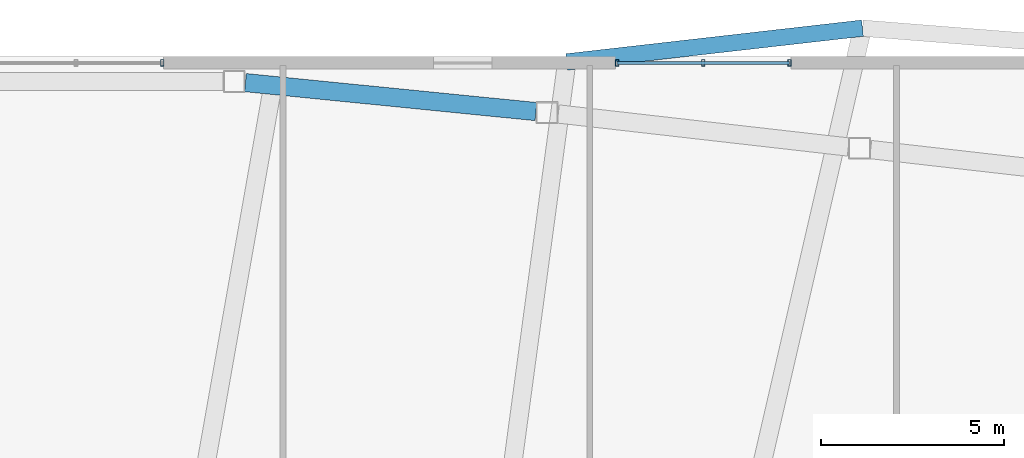
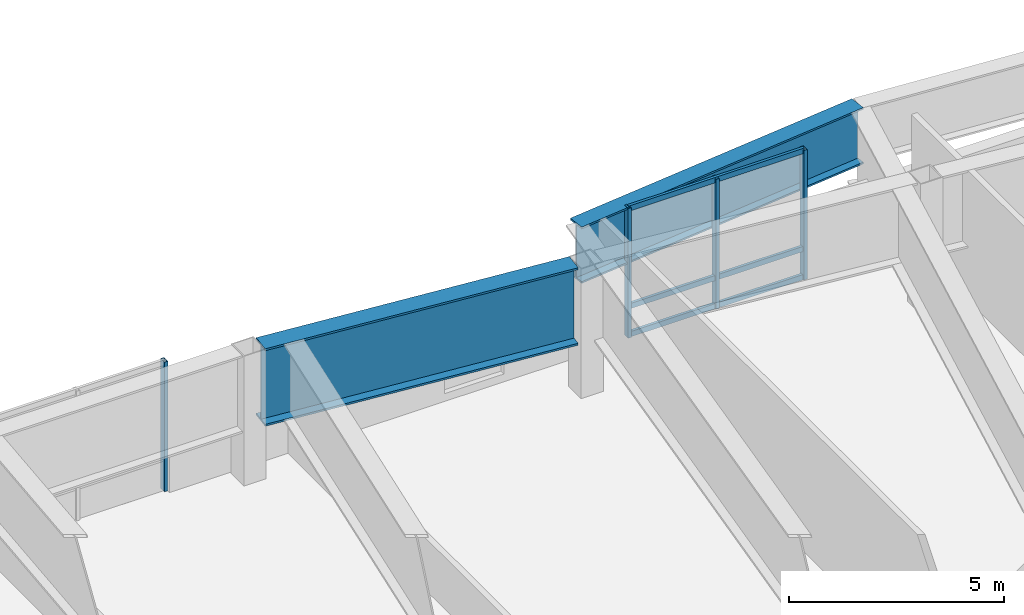
# One storey, part 10 of 19: 7 members, 2 beams, 2 elements without a shape of their own.
"""IFC4 building model written with IfcOpenShell, lengths in metres."""

import ifcopenshell
import ifcopenshell.guid

model = None  # the IFC model being written
_history = None  # IfcOwnerHistory: only IFC2X3 demands one
_inside = {}  # id of a spatial element -> (the spatial element, [elements in it])
_under = {}  # id of a project, library or spatial element -> (it, [spatial elements below it])
_declared = {}  # id of a project -> (the project, [libraries it declares])
_typed = {}  # id of a type object -> (the type object, [elements of that type])
_made_of = {}  # id of a material, layer set ... -> (it, [elements and type objects made of it])


def new_model(schema):
    """Start an empty IFC model of exactly this schema.

    Asked for "IFC4X3", IfcOpenShell would pick the latest addendum, in which some entities
    have other attributes; the version numbers below select the first issue.
    IFC2X3 requires an IfcOwnerHistory on every rooted entity: one is made here for all.
    """
    global model, _history
    if schema == "IFC4X3":
        model = ifcopenshell.file(schema_version=(4, 3, 0, 0))
    else:
        model = ifcopenshell.file(schema=schema)
    _inside.clear()
    _under.clear()
    _declared.clear()
    _typed.clear()
    _made_of.clear()
    _history = None
    if model.schema == "IFC2X3":
        org = make("IfcOrganization", Name="unknown")
        user = make(
            "IfcPersonAndOrganization",
            ThePerson=make("IfcPerson", FamilyName="unknown"),
            TheOrganization=org,
        )
        app = make(
            "IfcApplication",
            ApplicationDeveloper=org,
            Version="unknown",
            ApplicationFullName="unknown",
            ApplicationIdentifier="unknown",
        )
        _history = make(
            "IfcOwnerHistory",
            OwningUser=user,
            OwningApplication=app,
            ChangeAction="ADDED",
            CreationDate=0,
        )
    return model


def make(cls, **values):
    """One entity of the class cls with the attributes given. An attribute that is None is left unset."""
    return model.create_entity(
        cls, **{name: value for name, value in values.items() if value is not None}
    )


def rooted(cls, **values):
    """An entity with a GlobalId (a new one), such as an element, a storey or a relation."""
    return make(cls, GlobalId=ifcopenshell.guid.new(), OwnerHistory=_history, **values)


def si_unit(unit_type, name, prefix=None):
    """IfcSIUnit, for example si_unit("LENGTHUNIT", "METRE", prefix="MILLI")."""
    return make("IfcSIUnit", UnitType=unit_type, Prefix=prefix, Name=name)


def assignment(units):
    """IfcUnitAssignment: the units of a project."""
    return None if units is None else make("IfcUnitAssignment", Units=units)


def point(xyz):
    """IfcCartesianPoint."""
    return None if xyz is None else make("IfcCartesianPoint", Coordinates=xyz)


def direction(xyz):
    """IfcDirection."""
    return None if xyz is None else make("IfcDirection", DirectionRatios=xyz)


def frame(location, z_axis=None, x_axis=None):
    """IfcAxis2Placement3D, a coordinate frame: its origin and axes. An axis left out is left unset."""
    return make(
        "IfcAxis2Placement3D",
        Location=point(location),
        Axis=direction(z_axis),
        RefDirection=direction(x_axis),
    )


def frame_2d(location, x_axis=None):
    """IfcAxis2Placement2D, a coordinate frame in the plane: its origin and x axis."""
    return make(
        "IfcAxis2Placement2D", Location=point(location), RefDirection=direction(x_axis)
    )


def origin():
    """The frame at (0, 0, 0) with its axes left unset."""
    return frame((0.0, 0.0, 0.0))


def origin_2d():
    """The frame at (0, 0) in the plane with its x axis left unset."""
    return frame_2d((0.0, 0.0))


def place(relative_to, where):
    """IfcLocalPlacement: puts the frame where relative to a parent placement (None: the world)."""
    return make(
        "IfcLocalPlacement", PlacementRelTo=relative_to, RelativePlacement=where
    )


def context(
    kind, dimensions, precision=None, world=None, true_north=None, identifier=None
):
    """IfcGeometricRepresentationContext, for example the 3D "Model" context."""
    return make(
        "IfcGeometricRepresentationContext",
        ContextIdentifier=identifier,
        ContextType=kind,
        CoordinateSpaceDimension=dimensions,
        Precision=precision,
        WorldCoordinateSystem=world,
        TrueNorth=true_north,
    )


def subcontext(parent, identifier, kind, view, scale=None):
    """IfcGeometricRepresentationSubContext, for example "Body" below "Model"."""
    return make(
        "IfcGeometricRepresentationSubContext",
        ContextIdentifier=identifier,
        ContextType=kind,
        ParentContext=parent,
        TargetScale=scale,
        TargetView=view,
    )


def project(units=None, contexts=None):
    """IfcProject with its units and contexts."""
    return rooted(
        "IfcProject",
        Name="project",
        RepresentationContexts=contexts,
        UnitsInContext=assignment(units),
    )


def spatial(cls, under=None, at=None, **own):
    """A site, building, storey or space (cls), placed at a placement, below another one or the project."""
    s = rooted(cls, ObjectPlacement=at, **own)
    if under is not None:
        _under.setdefault(under.id(), (under, []))[1].append(s)
    return s


def profile(cls, at=None, kind="AREA", **sizes):
    """A parametric profile (cls). Its sizes go by their IFC names, for example OverallWidth=200.0."""
    return make(cls, ProfileType=kind, Position=at, **sizes)


def hollow_rectangle(**sizes):
    """IfcRectangleHollowProfileDef."""
    return profile("IfcRectangleHollowProfileDef", **sizes)


def i_section(**sizes):
    """IfcIShapeProfileDef."""
    return profile("IfcIShapeProfileDef", **sizes)


def extrude(swept, where, along, depth):
    """IfcExtrudedAreaSolid: the profile swept, set in the frame where, extruded along a direction by depth."""
    return make(
        "IfcExtrudedAreaSolid",
        SweptArea=swept,
        Position=where,
        ExtrudedDirection=direction(along),
        Depth=depth,
    )


def shape(context_of_items, identifier, shape_type, items):
    """IfcShapeRepresentation: the items that make up one representation, for example the "Body"."""
    return make(
        "IfcShapeRepresentation",
        ContextOfItems=context_of_items,
        RepresentationIdentifier=identifier,
        RepresentationType=shape_type,
        Items=items,
    )


def material(Name=None, Category=None):
    """IfcMaterial."""
    return make("IfcMaterial", Name=Name, Category=Category)


def layer(
    of_material, thickness, ventilated=None, Name=None, Category=None, Priority=None
):
    """IfcMaterialLayer: one layer of a wall or slab, of a material (None: an air gap)."""
    return make(
        "IfcMaterialLayer",
        Material=of_material,
        LayerThickness=thickness,
        IsVentilated=ventilated,
        Name=Name,
        Category=Category,
        Priority=Priority,
    )


def layer_set(layers, Name=None):
    """IfcMaterialLayerSet."""
    return make("IfcMaterialLayerSet", MaterialLayers=layers, LayerSetName=Name)


def material_profile(
    of_material, cross_section, Name=None, Category=None, Priority=None
):
    """IfcMaterialProfile: a cross section and its material."""
    return make(
        "IfcMaterialProfile",
        Name=Name,
        Material=of_material,
        Profile=cross_section,
        Priority=Priority,
        Category=Category,
    )


def profile_set(profiles, Name=None, composite=None):
    """IfcMaterialProfileSet."""
    return make(
        "IfcMaterialProfileSet",
        Name=Name,
        MaterialProfiles=profiles,
        CompositeProfile=composite,
    )


def made_of(thing, what):
    """Note that an element or type object is made of a material, layer set ...; save() writes the relation."""
    if what is not None:
        _made_of.setdefault(what.id(), (what, []))[1].append(thing)
    return thing


def type_object(cls, material=None, **own):
    """A type object (cls), such as IfcWallType, which elements share."""
    return made_of(rooted(cls, **own), material)


def element(
    cls,
    number,
    at=None,
    inside=None,
    cuts=None,
    type_object=None,
    material=None,
    context=None,
    identifier="Body",
    shape_type=None,
    held_by="IfcProductDefinitionShape",
    body=None,
    shapes=None,
    **own,
):
    """One element of the class cls, such as IfcWall. Its Tag is "e" and its number.

    at: its placement. inside: the storey or other place that contains it. cuts: it is an
    opening in that element (IfcRelVoidsElement). A single representation is given by context,
    identifier, shape_type and body (its items); several are given by shapes. held_by: the class
    of the entity that holds the representations. save() writes the other relations.
    """
    e = rooted(cls, Tag="e%d" % number, ObjectPlacement=at, **own)
    if body is not None:
        shapes = [shape(context, identifier, shape_type, body)]
    if shapes is not None:
        e.Representation = make(held_by, Representations=shapes)
    if inside is not None:
        _inside.setdefault(inside.id(), (inside, []))[1].append(e)
    if cuts is not None:
        rooted(
            "IfcRelVoidsElement", RelatingBuildingElement=cuts, RelatedOpeningElement=e
        )
    if type_object is not None:
        _typed.setdefault(type_object.id(), (type_object, []))[1].append(e)
    return made_of(e, material)


def aggregate(whole, parts):
    """IfcRelAggregates: a whole, such as a stair, and the parts it consists of."""
    return rooted("IfcRelAggregates", RelatingObject=whole, RelatedObjects=parts)


def save(model, path):
    """Write the relations noted so far, then the file.

    IfcRelAggregates (storeys below a building ...), IfcRelContainedInSpatialStructure (elements
    in a storey), IfcRelDefinesByType, IfcRelAssociatesMaterial and IfcRelDeclares: one each for
    every whole, place, type object, material and project.
    """
    for whole, parts in _under.values():
        aggregate(whole, parts)
    for where, things in _inside.values():
        rooted(
            "IfcRelContainedInSpatialStructure",
            RelatedElements=things,
            RelatingStructure=where,
        )
    for kind, things in _typed.values():
        rooted("IfcRelDefinesByType", RelatedObjects=things, RelatingType=kind)
    for what, things in _made_of.values():
        rooted("IfcRelAssociatesMaterial", RelatedObjects=things, RelatingMaterial=what)
    for by, libraries in _declared.values():
        rooted("IfcRelDeclares", RelatingContext=by, RelatedDefinitions=libraries)
    model.write(path)


model = new_model("IFC4")

# Units and contexts
model_context = context("Model", 3, precision=1e-05, world=origin(), true_north=direction((0.0, 1.0)))
body_context = subcontext(model_context, "Body", "Model", "MODEL_VIEW")
ifc_project = project(units=[si_unit("LENGTHUNIT", "METRE"), si_unit("AREAUNIT", "SQUARE_METRE"), si_unit("VOLUMEUNIT", "CUBIC_METRE"), si_unit("PLANEANGLEUNIT", "RADIAN"), si_unit("MASSUNIT", "GRAM", prefix="KILO")], contexts=[model_context])

# Site, building, storey
site_placement = place(None, origin())
site = spatial("IfcSite", under=ifc_project, at=site_placement, CompositionType="ELEMENT")
building_placement = place(site_placement, origin())
building = spatial("IfcBuilding", under=site, at=building_placement, Name="Tavrogorsk Clinical Tower", CompositionType="ELEMENT")
storey_placement = place(building_placement, frame((0.0, 0.0, 204.199951171875)))
storey = spatial("IfcBuildingStorey", under=building, at=storey_placement, Name="L47", CompositionType="ELEMENT", Elevation=204.199951171875)

# Curtain wall, member
ifc_material_1 = material(Name="Anodised aluminium and triple IGU glazing", Category="aluminium")
ifc_layer = layer(ifc_material_1, 0.179931640625)
ifc_layer_set = layer_set([ifc_layer], Name="Anodised aluminium and triple IGU glazing")
curtain_wall_type = type_object("IfcCurtainWallType", Name="CW2_NorthSlot", PredefinedType="NOTDEFINED", material=ifc_layer_set)
curtain_wall_1_placement = place(storey_placement, origin())
curtain_wall_1 = element("IfcCurtainWall", 1, at=curtain_wall_1_placement, inside=storey, type_object=curtain_wall_type, Name="L47 Curtain Wall CW-L47-N-SLOT-1", PredefinedType="NOTDEFINED")
ifc_material_2 = material(Name="Anodised aluminium alloy AW-6060", Category="aluminium")
ifc_material_profile_1 = material_profile(ifc_material_2, hollow_rectangle(XDim=0.090087890625, YDim=0.179931640625, WallThickness=0.00634765625, at=origin_2d()), Name="RHS-180x90x6.3")
ifc_profile_set_1 = profile_set([ifc_material_profile_1], Name="Anodised aluminium alloy AW-6060")
member_type_1 = type_object("IfcMemberType", Name="CwMullion_180x90", PredefinedType="MULLION", material=ifc_profile_set_1)
member_1_placement = place(storey_placement, frame((-3.90380859375, 26.929931640625, 0.0), z_axis=(0.0, 0.0, 1.0), x_axis=(-1.0, 0.0, 0.0)))
member_1 = element("IfcMember", 2, at=member_1_placement, type_object=member_type_1, Name="CW-L47-N-SLOT-1 Mullion 1", PredefinedType="MULLION", context=body_context, shape_type="SweptSolid", body=[
    extrude(hollow_rectangle(XDim=0.090087890625, YDim=0.179931640625, WallThickness=0.00634765625, at=origin_2d()), origin(), (0.0, 0.0, 1.0), 3.679931640625),
])
aggregate(curtain_wall_1, [member_1])

# Curtain wall, members
curtain_wall_2_placement = place(storey_placement, origin())
curtain_wall_2 = element("IfcCurtainWall", 3, at=curtain_wall_2_placement, inside=storey, type_object=curtain_wall_type, Name="L47 Curtain Wall CW-L47-N-SLOT-2", PredefinedType="NOTDEFINED")
member_2_placement = place(storey_placement, frame((13.26904296875, 26.929931640625, 0.0), z_axis=(0.0, 0.0, 1.0), x_axis=(-1.0, 0.0, 0.0)))
member_2 = element("IfcMember", 4, at=member_2_placement, type_object=member_type_1, Name="CW-L47-N-SLOT-2 Mullion 1", PredefinedType="MULLION", context=body_context, shape_type="SweptSolid", body=[
    extrude(hollow_rectangle(XDim=0.090087890625, YDim=0.179931640625, WallThickness=0.00634765625, at=origin_2d()), origin(), (0.0, 0.0, 1.0), 3.679931640625),
])
member_3_placement = place(storey_placement, frame((10.91015625, 26.929931640625, 0.0), z_axis=(0.0, 0.0, 1.0), x_axis=(-1.0, 0.0, 0.0)))
member_3 = element("IfcMember", 5, at=member_3_placement, type_object=member_type_1, Name="CW-L47-N-SLOT-2 Mullion 2", PredefinedType="MULLION", context=body_context, shape_type="SweptSolid", body=[
    extrude(hollow_rectangle(XDim=0.090087890625, YDim=0.179931640625, WallThickness=0.00634765625, at=origin_2d()), origin(), (0.0, 0.0, 1.0), 3.679931640625),
])
member_4_placement = place(storey_placement, frame((8.551025390625, 26.929931640625, 0.0), z_axis=(0.0, 0.0, 1.0), x_axis=(-1.0, 0.0, 0.0)))
member_4 = element("IfcMember", 6, at=member_4_placement, type_object=member_type_1, Name="CW-L47-N-SLOT-2 Mullion 3", PredefinedType="MULLION", context=body_context, shape_type="SweptSolid", body=[
    extrude(hollow_rectangle(XDim=0.090087890625, YDim=0.179931640625, WallThickness=0.00634765625, at=origin_2d()), origin(), (0.0, 0.0, 1.0), 3.679931640625),
])
ifc_material_3 = material(Name="Anodised aluminium alloy AW-6060", Category="aluminium")
ifc_material_profile_2 = material_profile(ifc_material_3, hollow_rectangle(XDim=0.074951171875, YDim=0.14990234375, WallThickness=0.0048828125, at=origin_2d()), Name="RHS-150x75x5")
ifc_profile_set_2 = profile_set([ifc_material_profile_2], Name="Anodised aluminium alloy AW-6060")
member_type_2 = type_object("IfcMemberType", Name="CwTransom_150x75", PredefinedType="USERDEFINED", material=ifc_profile_set_2)
member_5_placement = place(storey_placement, frame((13.26904296875, 26.929931640625, 0.050048828125), z_axis=(-1.0, 0.0, 0.0), x_axis=(0.0, -1.0, 0.0)))
member_5 = element("IfcMember", 7, at=member_5_placement, type_object=member_type_2, Name="CW-L47-N-SLOT-2 Transom 1", ObjectType="TRANSOM", PredefinedType="USERDEFINED", context=body_context, shape_type="SweptSolid", body=[
    extrude(hollow_rectangle(XDim=0.074951171875, YDim=0.14990234375, WallThickness=0.0048828125, at=origin_2d()), origin(), (0.0, 0.0, 1.0), 4.718017578125),
])
member_6_placement = place(storey_placement, frame((13.26904296875, 26.929931640625, 0.85009765625), z_axis=(-1.0, 0.0, 0.0), x_axis=(0.0, -1.0, 0.0)))
member_6 = element("IfcMember", 8, at=member_6_placement, type_object=member_type_2, Name="CW-L47-N-SLOT-2 Transom 2", ObjectType="TRANSOM", PredefinedType="USERDEFINED", context=body_context, shape_type="SweptSolid", body=[
    extrude(hollow_rectangle(XDim=0.074951171875, YDim=0.14990234375, WallThickness=0.0048828125, at=origin_2d()), origin(), (0.0, 0.0, 1.0), 4.718017578125),
])
member_7_placement = place(storey_placement, frame((13.26904296875, 26.929931640625, 3.630126953125), z_axis=(-1.0, 0.0, 0.0), x_axis=(0.0, -1.0, 0.0)))
member_7 = element("IfcMember", 9, at=member_7_placement, type_object=member_type_2, Name="CW-L47-N-SLOT-2 Transom 3", ObjectType="TRANSOM", PredefinedType="USERDEFINED", context=body_context, shape_type="SweptSolid", body=[
    extrude(hollow_rectangle(XDim=0.074951171875, YDim=0.14990234375, WallThickness=0.0048828125, at=origin_2d()), origin(), (0.0, 0.0, 1.0), 4.718017578125),
])
aggregate(curtain_wall_2, [member_2, member_3, member_4, member_5, member_6, member_7])

# Beams
ifc_material_4 = material(Name="Structural steel S440", Category="steel")
ifc_material_profile_3 = material_profile(ifc_material_4, i_section(OverallWidth=0.449951171875, OverallDepth=1.60009765625, WebThickness=0.031982421875, FlangeThickness=0.050048828125, at=origin_2d()), Name="DK-1600x450x32x50")
ifc_profile_set_3 = profile_set([ifc_material_profile_3], Name="Structural steel S440")
beam_type_1 = type_object("IfcBeamType", Name="TransferGirder_DK1600", PredefinedType="USERDEFINED", material=ifc_profile_set_3)
beam_1_placement = place(storey_placement, frame((15.2685546875, 27.880126953125, 2.880126953125), z_axis=(-0.99356960656, -0.11322295227, 0.0), x_axis=(0.11322295227, -0.99356960656, 0.0)))
element("IfcBeam", 10, at=beam_1_placement, inside=storey, type_object=beam_type_1, Name="L48 Transfer Edge Girder N2-N3", ObjectType="GIRDER", PredefinedType="USERDEFINED", context=body_context, shape_type="SweptSolid", body=[
    extrude(i_section(OverallWidth=0.449951171875, OverallDepth=1.60009765625, WebThickness=0.031982421875, FlangeThickness=0.050048828125, at=origin_2d()), origin(), (0.0, 0.0, 1.0), 8.148681640625),
])
ifc_material_5 = material(Name="Structural steel S440", Category="steel")
ifc_material_profile_4 = material_profile(ifc_material_5, i_section(OverallWidth=0.5, OverallDepth=2.199951171875, WebThickness=0.035888671875, FlangeThickness=0.054931640625, at=origin_2d()), Name="DK-2200x500x36x55")
ifc_profile_set_4 = profile_set([ifc_material_profile_4], Name="Structural steel S440")
beam_type_2 = type_object("IfcBeamType", Name="TransferGirder_DK2200", PredefinedType="USERDEFINED", material=ifc_profile_set_4)
beam_2_placement = place(storey_placement, frame((6.32763671875, 25.59716796875, 2.580078125), z_axis=(-0.995074624158, 0.099128665666, 0.0), x_axis=(-0.099128665666, -0.995074624158, 0.0)))
element("IfcBeam", 11, at=beam_2_placement, inside=storey, type_object=beam_type_2, Name="L47 Perimeter Spandrel N4-N5", ObjectType="GIRDER", PredefinedType="USERDEFINED", context=body_context, shape_type="SweptSolid", body=[
    extrude(i_section(OverallWidth=0.5, OverallDepth=2.199951171875, WebThickness=0.035888671875, FlangeThickness=0.054931640625, at=origin_2d()), origin(), (0.0, 0.0, 1.0), 7.991943359375),
])

save(model, "model.ifc")
